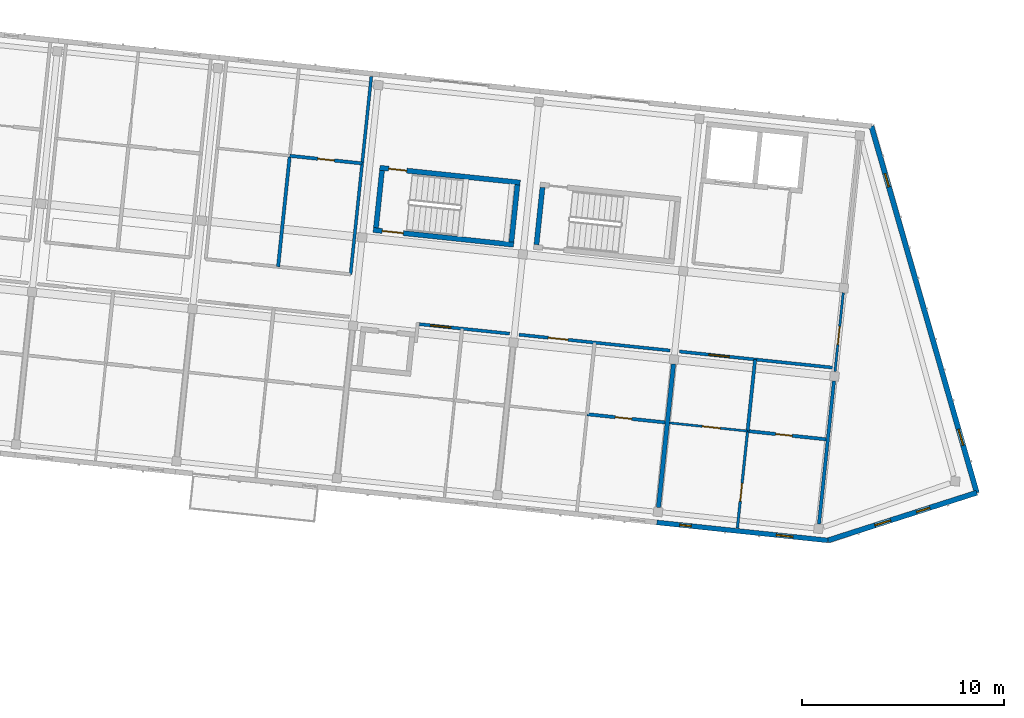
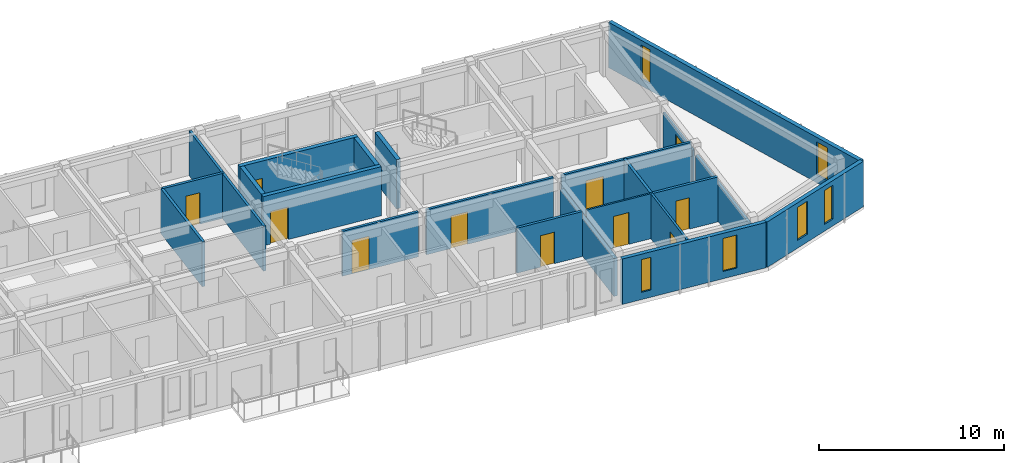
# One storey, part 32 of 56: 22 walls, 11 doors, 6 windows, 17 openings.
"""IFC4 building model written with IfcOpenShell, lengths in metres."""

from ifc_helpers import new_model, si_unit, direction, frame, frame_2d, origin, place, context, subcontext, project, spatial, rectangle, extrude, material, layer, layer_set, type_object, element, fill, save


model = new_model("IFC4")

# Units and contexts
model_context = context("Model", 3, precision=1e-05, world=origin(), true_north=direction((0.0, 1.0)))
body_context = subcontext(model_context, "Body", "Model", "MODEL_VIEW")
ifc_project = project(units=[si_unit("LENGTHUNIT", "METRE"), si_unit("AREAUNIT", "SQUARE_METRE"), si_unit("VOLUMEUNIT", "CUBIC_METRE"), si_unit("PLANEANGLEUNIT", "RADIAN"), si_unit("MASSUNIT", "GRAM", prefix="KILO")], contexts=[model_context])

# Site, building, storey
site_placement = place(None, origin())
site = spatial("IfcSite", under=ifc_project, at=site_placement, CompositionType="ELEMENT")
building_placement = place(site_placement, origin())
building = spatial("IfcBuilding", under=site, at=building_placement, Name="Kestramere Prow Commons", CompositionType="ELEMENT")
storey_placement = place(building_placement, frame((0.0, 0.0, 27.89990234375)))
storey = spatial("IfcBuildingStorey", under=building, at=storey_placement, Name="L08", CompositionType="ELEMENT", Elevation=27.89990234375)

# Wall, openings, windows
ifc_material_1 = material(Name="Weathered Zinc-Titanium Standing-Seam Cladding")
ifc_layer_1 = layer(ifc_material_1, 0.260009765625)
ifc_layer_set_1 = layer_set([ifc_layer_1], Name="Weathered Zinc-Titanium Standing-Seam Cladding")
wall_type_1 = type_object("IfcWallType", Name="EW-PROW-260", PredefinedType="SOLIDWALL", material=ifc_layer_set_1)
wall_1_placement = place(storey_placement, frame((160.36279296875, 109.742431640625, 0.0), z_axis=(0.0, 0.0, 1.0), x_axis=(0.276322184526, -0.961065060409, 0.0)))
wall_1 = element("IfcWall", 1, at=wall_1_placement, inside=storey, type_object=wall_type_1, Name="Block B L08 PRW-N Facet Wall", PredefinedType="SOLIDWALL", context=body_context, shape_type="SweptSolid", body=[
    extrude(rectangle(XDim=18.90673828125, YDim=0.260009765625, at=frame_2d((9.453369140625, 0.0))), origin(), (0.0, 0.0, 1.0), 3.0),
])
opening_1_placement = place(wall_1_placement, frame((2.449951171875, 0.0, 0.449951171875)))
opening_1 = element("IfcOpeningElement", 2, at=opening_1_placement, cuts=wall_1, Name="Opening WN-06", PredefinedType="OPENING", context=body_context, shape_type="SweptSolid", body=[
    extrude(rectangle(XDim=0.679931640625, YDim=2.239990234375, at=frame_2d((0.33984375, 1.1201171875))), frame((0.0, 0.14501953125, 0.0), z_axis=(0.0, -1.0, 0.0), x_axis=(1.0, 0.0, 0.0)), (0.0, 0.0, 1.0), 0.2900390625),
])
opening_2_placement = place(wall_1_placement, frame((15.63671875, 0.0, 0.52001953125)))
opening_2 = element("IfcOpeningElement", 3, at=opening_2_placement, cuts=wall_1, Name="Opening WN-13", PredefinedType="OPENING", context=body_context, shape_type="SweptSolid", body=[
    extrude(rectangle(XDim=0.820068359375, YDim=2.179931640625, at=frame_2d((0.41015625, 1.08984375))), frame((0.0, 0.14501953125, 0.0), z_axis=(0.0, -1.0, 0.0), x_axis=(1.0, 0.0, 0.0)), (0.0, 0.0, 1.0), 0.2900390625),
])
ifc_material_2 = material(Name="Low-E Laminated Double Glazing", Category="glass")
window_type_1 = type_object("IfcWindowType", Name="WN-NAR-680A", PartitioningType="SINGLE_PANEL", PredefinedType="WINDOW", material=ifc_material_2)
window_1_placement = place(opening_1_placement, origin())
window_1 = element("IfcWindow", 4, at=window_1_placement, inside=storey, type_object=window_type_1, Name="WN-B-L08-PRW-N-0", OverallHeight=2.239990234375, OverallWidth=0.679931640625, PartitioningType="SINGLE_PANEL", PredefinedType="WINDOW", context=body_context, shape_type="SweptSolid", body=[
    extrude(rectangle(XDim=0.679931640625, YDim=2.239990234375, at=frame_2d((0.33984375, 1.1201171875))), frame((0.0, 0.030029296875, 0.0), z_axis=(0.0, -1.0, 0.0), x_axis=(1.0, 0.0, 0.0)), (0.0, 0.0, 1.0), 0.06005859375),
])
fill(opening_1, window_1)
window_type_2 = type_object("IfcWindowType", Name="WN-NAR-820A", PartitioningType="DOUBLE_PANEL_VERTICAL", PredefinedType="WINDOW", material=ifc_material_2)
window_2_placement = place(opening_2_placement, origin())
window_2 = element("IfcWindow", 5, at=window_2_placement, inside=storey, type_object=window_type_2, Name="WN-B-L08-PRW-N-1", OverallHeight=2.179931640625, OverallWidth=0.820068359375, PartitioningType="SINGLE_PANEL", PredefinedType="WINDOW", context=body_context, shape_type="SweptSolid", body=[
    extrude(rectangle(XDim=0.820068359375, YDim=2.179931640625, at=frame_2d((0.41015625, 1.08984375))), frame((0.0, 0.030029296875, 0.0), z_axis=(0.0, -1.0, 0.0), x_axis=(1.0, 0.0, 0.0)), (0.0, 0.0, 1.0), 0.06005859375),
])
fill(opening_2, window_2)

wall_2_placement = place(storey_placement, frame((165.587158203125, 91.57177734375, 0.0), z_axis=(0.0, 0.0, 1.0), x_axis=(-0.9522851043, -0.305209895201, 0.0)))
wall_2 = element("IfcWall", 6, at=wall_2_placement, inside=storey, type_object=wall_type_1, Name="Block B L08 PRW-S Facet Wall", PredefinedType="SOLIDWALL", context=body_context, shape_type="SweptSolid", body=[
    extrude(rectangle(XDim=7.752685546875, YDim=0.260009765625, at=frame_2d((3.87646484375, 0.0))), origin(), (0.0, 0.0, 1.0), 3.0),
])
opening_3_placement = place(wall_2_placement, frame((2.449951171875, 0.0, 0.449951171875)))
opening_3 = element("IfcOpeningElement", 7, at=opening_3_placement, cuts=wall_2, Name="Opening WN-06", PredefinedType="OPENING", context=body_context, shape_type="SweptSolid", body=[
    extrude(rectangle(XDim=0.679931640625, YDim=2.239990234375, at=frame_2d((0.33984375, 1.1201171875))), frame((0.0, 0.14501953125, 0.0), z_axis=(0.0, -1.0, 0.0), x_axis=(1.0, 0.0, 0.0)), (0.0, 0.0, 1.0), 0.2900390625),
])
opening_4_placement = place(wall_2_placement, frame((4.482666015625, 0.0, 0.52001953125)))
opening_4 = element("IfcOpeningElement", 8, at=opening_4_placement, cuts=wall_2, Name="Opening WN-13", PredefinedType="OPENING", context=body_context, shape_type="SweptSolid", body=[
    extrude(rectangle(XDim=0.820068359375, YDim=2.179931640625, at=frame_2d((0.41015625, 1.08984375))), frame((0.0, 0.14501953125, 0.0), z_axis=(0.0, -1.0, 0.0), x_axis=(1.0, 0.0, 0.0)), (0.0, 0.0, 1.0), 0.2900390625),
])
window_3_placement = place(opening_3_placement, origin())
window_3 = element("IfcWindow", 9, at=window_3_placement, inside=storey, type_object=window_type_1, Name="WN-B-L08-PRW-S-0", OverallHeight=2.239990234375, OverallWidth=0.679931640625, PartitioningType="SINGLE_PANEL", PredefinedType="WINDOW", context=body_context, shape_type="SweptSolid", body=[
    extrude(rectangle(XDim=0.679931640625, YDim=2.239990234375, at=frame_2d((0.33984375, 1.1201171875))), frame((0.0, 0.030029296875, 0.0), z_axis=(0.0, -1.0, 0.0), x_axis=(1.0, 0.0, 0.0)), (0.0, 0.0, 1.0), 0.06005859375),
])
fill(opening_3, window_3)
window_4_placement = place(opening_4_placement, origin())
window_4 = element("IfcWindow", 10, at=window_4_placement, inside=storey, type_object=window_type_2, Name="WN-B-L08-PRW-S-1", OverallHeight=2.179931640625, OverallWidth=0.820068359375, PartitioningType="SINGLE_PANEL", PredefinedType="WINDOW", context=body_context, shape_type="SweptSolid", body=[
    extrude(rectangle(XDim=0.820068359375, YDim=2.179931640625, at=frame_2d((0.41015625, 1.08984375))), frame((0.0, 0.030029296875, 0.0), z_axis=(0.0, -1.0, 0.0), x_axis=(1.0, 0.0, 0.0)), (0.0, 0.0, 1.0), 0.06005859375),
])
fill(opening_4, window_4)

ifc_material_3 = material(Name="Fluoropolymer Standing-Seam Zinc-Aluminium Cladding", Category="aluminium")
ifc_layer_2 = layer(ifc_material_3, 0.239990234375)
ifc_layer_set_2 = layer_set([ifc_layer_2], Name="Fluoropolymer Standing-Seam Zinc-Aluminium Cladding")
wall_type_2 = type_object("IfcWallType", Name="EW-SEAM-240", PredefinedType="SOLIDWALL", material=ifc_layer_set_2)
wall_3_placement = place(storey_placement, frame((158.204345703125, 89.20556640625, 0.0), z_axis=(0.0, 0.0, 1.0), x_axis=(-0.994521760736, 0.104529744196, 0.0)))
wall_3 = element("IfcWall", 11, at=wall_3_placement, inside=storey, type_object=wall_type_2, Name="Block B L08 South Standing-Seam Wall 6", PredefinedType="SOLIDWALL", context=body_context, shape_type="SweptSolid", body=[
    extrude(rectangle(XDim=8.52490234375, YDim=0.239990234375, at=frame_2d((4.262451171875, 0.0))), origin(), (0.0, 0.0, 1.0), 3.0),
])
opening_5_placement = place(wall_3_placement, frame((1.742919921875, 0.0, 0.47998046875)))
opening_5 = element("IfcOpeningElement", 12, at=opening_5_placement, cuts=wall_3, Name="Opening WN-13", PredefinedType="OPENING", context=body_context, shape_type="SweptSolid", body=[
    extrude(rectangle(XDim=0.820068359375, YDim=2.179931640625, at=frame_2d((0.41015625, 1.08984375))), frame((0.0, 0.135009765625, 0.0), z_axis=(0.0, -1.0, 0.0), x_axis=(1.0, 0.0, 0.0)), (0.0, 0.0, 1.0), 0.27001953125),
])
opening_6_placement = place(wall_3_placement, frame((6.809326171875, 0.0, 0.47998046875)))
opening_6 = element("IfcOpeningElement", 13, at=opening_6_placement, cuts=wall_3, Name="Opening WN-01", PredefinedType="OPENING", context=body_context, shape_type="SweptSolid", body=[
    extrude(rectangle(XDim=0.580078125, YDim=2.159912109375, at=frame_2d((0.2900390625, 1.080078125))), frame((0.0, 0.135009765625, 0.0), z_axis=(0.0, -1.0, 0.0), x_axis=(1.0, 0.0, 0.0)), (0.0, 0.0, 1.0), 0.27001953125),
])
window_type_3 = type_object("IfcWindowType", Name="WN-NAR-580A", PartitioningType="SINGLE_PANEL", PredefinedType="WINDOW", material=ifc_material_2)
window_5_placement = place(opening_6_placement, origin())
window_5 = element("IfcWindow", 14, at=window_5_placement, inside=storey, type_object=window_type_3, Name="WN-B-L08-S-5-10", OverallHeight=2.159912109375, OverallWidth=0.580078125, PartitioningType="SINGLE_PANEL", PredefinedType="WINDOW", context=body_context, shape_type="SweptSolid", body=[
    extrude(rectangle(XDim=0.580078125, YDim=2.159912109375, at=frame_2d((0.2900390625, 1.080078125))), frame((0.0, 0.030029296875, 0.0), z_axis=(0.0, -1.0, 0.0), x_axis=(1.0, 0.0, 0.0)), (0.0, 0.0, 1.0), 0.06005859375),
])
fill(opening_6, window_5)
window_6_placement = place(opening_5_placement, origin())
window_6 = element("IfcWindow", 15, at=window_6_placement, inside=storey, type_object=window_type_2, Name="WN-B-L08-S-5-00", OverallHeight=2.179931640625, OverallWidth=0.820068359375, PartitioningType="SINGLE_PANEL", PredefinedType="WINDOW", context=body_context, shape_type="SweptSolid", body=[
    extrude(rectangle(XDim=0.820068359375, YDim=2.179931640625, at=frame_2d((0.41015625, 1.08984375))), frame((0.0, 0.030029296875, 0.0), z_axis=(0.0, -1.0, 0.0), x_axis=(1.0, 0.0, 0.0)), (0.0, 0.0, 1.0), 0.06005859375),
])
fill(opening_5, window_6)

# Wall, opening, door
ifc_material_4 = material(Name="Concrete C40/50", Category="concrete")
ifc_layer_3 = layer(ifc_material_4, 0.25)
ifc_layer_set_3 = layer_set([ifc_layer_3], Name="Concrete C40/50")
wall_type_3 = type_object("IfcWallType", Name="W-CORE-250", PredefinedType="SHEAR", material=ifc_layer_set_3)
wall_4_placement = place(storey_placement, frame((135.988525390625, 107.678955078125, 0.0), z_axis=(0.0, 0.0, 1.0), x_axis=(0.994522066748, -0.104526832686, 0.0)))
wall_4 = element("IfcWall", 16, at=wall_4_placement, inside=storey, type_object=wall_type_3, Name="ST-B1 L08 North Shaft Wall", PredefinedType="SHEAR", context=body_context, shape_type="SweptSolid", body=[
    extrude(rectangle(XDim=7.0, YDim=0.25, at=frame_2d((3.5, 0.0))), origin(), (0.0, 0.0, 1.0), 3.25),
])
opening_7_placement = place(wall_4_placement, frame((0.449951171875, 0.0, 0.0)))
opening_7 = element("IfcOpeningElement", 17, at=opening_7_placement, cuts=wall_4, Name="Opening ID-08", PredefinedType="OPENING", context=body_context, shape_type="SweptSolid", body=[
    extrude(rectangle(XDim=0.89990234375, YDim=2.10009765625, at=frame_2d((0.449951171875, 1.050048828125))), frame((0.0, 0.139892578125, 0.0), z_axis=(0.0, -1.0, 0.0), x_axis=(1.0, 0.0, 0.0)), (0.0, 0.0, 1.0), 0.280029296875),
])
ifc_material_5 = material(Name="Engineered Timber Flush Door", Category="wood")
door_type_1 = type_object("IfcDoorType", Name="D-RM-01", OperationType="NOTDEFINED", PredefinedType="DOOR", material=ifc_material_5)
door_1_placement = place(opening_7_placement, origin())
door_1 = element("IfcDoor", 18, at=door_1_placement, inside=storey, type_object=door_type_1, Name="ST-B1 L08 North Room Door", OperationType="SINGLE_SWING_RIGHT", OverallHeight=2.10009765625, OverallWidth=0.89990234375, PredefinedType="DOOR", context=body_context, shape_type="SweptSolid", body=[
    extrude(rectangle(XDim=0.89990234375, YDim=2.10009765625, at=frame_2d((0.449951171875, 1.050048828125))), frame((0.0, 0.02490234375, 0.0), z_axis=(0.0, -1.0, 0.0), x_axis=(1.0, 0.0, 0.0)), (0.0, 0.0, 1.0), 0.050048828125),
])
fill(opening_7, door_1)

wall_5_placement = place(storey_placement, frame((135.66455078125, 104.595947265625, 0.0), z_axis=(0.0, 0.0, 1.0), x_axis=(0.994522066748, -0.104526832686, 0.0)))
wall_5 = element("IfcWall", 19, at=wall_5_placement, inside=storey, type_object=wall_type_3, Name="ST-B1 L08 Corridor Shaft Wall", PredefinedType="SHEAR", context=body_context, shape_type="SweptSolid", body=[
    extrude(rectangle(XDim=7.0, YDim=0.25, at=frame_2d((3.5, 0.0))), origin(), (0.0, 0.0, 1.0), 3.25),
])
opening_8_placement = place(wall_5_placement, frame((0.449951171875, 0.0, 0.0)))
opening_8 = element("IfcOpeningElement", 20, at=opening_8_placement, cuts=wall_5, Name="Opening ID-01", PredefinedType="OPENING", context=body_context, shape_type="SweptSolid", body=[
    extrude(rectangle(XDim=1.050048828125, YDim=2.14990234375, at=frame_2d((0.52490234375, 1.074951171875))), frame((0.0, 0.139892578125, 0.0), z_axis=(0.0, -1.0, 0.0), x_axis=(1.0, 0.0, 0.0)), (0.0, 0.0, 1.0), 0.280029296875),
])
ifc_material_6 = material(Name="Fire-Rated Timber and Steel Frame", Category="steel")
door_type_2 = type_object("IfcDoorType", Name="FD-ST-01", OperationType="NOTDEFINED", PredefinedType="DOOR", material=ifc_material_6)
door_2_placement = place(opening_8_placement, origin())
door_2 = element("IfcDoor", 21, at=door_2_placement, inside=storey, type_object=door_type_2, Name="ST-B1 L08 Protected Stair Door", OperationType="SINGLE_SWING_LEFT", OverallHeight=2.14990234375, OverallWidth=1.050048828125, PredefinedType="DOOR", context=body_context, shape_type="SweptSolid", body=[
    extrude(rectangle(XDim=1.050048828125, YDim=2.14990234375, at=frame_2d((0.52490234375, 1.074951171875))), frame((0.0, 0.02490234375, 0.0), z_axis=(0.0, -1.0, 0.0), x_axis=(1.0, 0.0, 0.0)), (0.0, 0.0, 1.0), 0.050048828125),
])
fill(opening_8, door_2)

# Walls
for number, where, z_axis, x_axis, name in (
    (22, (135.802001953125, 104.707275390625, 0.0), (0.0, 0.0, 1.0), (0.104515324063, 0.994523276267, 0.0), "ST-B1 L08 Near Shaft Wall"),
    (23, (142.514892578125, 104.001708984375, 0.0), (0.0, 0.0, 1.0), (0.104515324063, 0.994523276267, 0.0), "ST-B1 L08 Far Shaft Wall"),
    (24, (143.758056640625, 103.87109375, 0.0), (0.0, 0.0, 1.0), (0.104515324063, 0.994523276267, 0.0), "ST-B2 L08 Near Shaft Wall"),
):
    element("IfcWall", number, at=place(storey_placement, frame(where, z_axis=z_axis, x_axis=x_axis)), inside=storey, type_object=wall_type_3, Name=name, PredefinedType="SHEAR", context=body_context, shape_type="SweptSolid", body=[
        extrude(rectangle(XDim=2.849853515625, YDim=0.25, at=frame_2d((1.4248046875, 0.0))), origin(), (0.0, 0.0, 1.0), 3.25),
    ])

# Wall, opening, door
ifc_material_7 = material(Name="Fire-Rated Calcium Silicate Wall")
ifc_layer_4 = layer(ifc_material_7, 0.155029296875)
ifc_layer_set_4 = layer_set([ifc_layer_4], Name="Fire-Rated Calcium Silicate Wall")
wall_type_4 = type_object("IfcWallType", Name="W-FIRE-150", PredefinedType="PARTITIONING", material=ifc_layer_set_4)
wall_6_placement = place(storey_placement, frame((137.948974609375, 99.926513671875, 0.0), z_axis=(0.0, 0.0, 1.0), x_axis=(0.994526220308, -0.104487306019, 0.0)))
wall_6 = element("IfcWall", 25, at=wall_6_placement, inside=storey, type_object=wall_type_4, Name="Interior Partition PW-B-L08-CS-3", PredefinedType="PARTITIONING", context=body_context, shape_type="SweptSolid", body=[
    extrude(rectangle(XDim=4.5048828125, YDim=0.155029296875, at=frame_2d((2.25244140625, 0.0))), origin(), (0.0, 0.0, 1.0), 2.97021484375),
])
opening_9_placement = place(wall_6_placement, frame((0.556884765625, 0.0, 0.0)))
opening_9 = element("IfcOpeningElement", 26, at=opening_9_placement, cuts=wall_6, Name="Opening ID-05", PredefinedType="OPENING", context=body_context, shape_type="SweptSolid", body=[
    extrude(rectangle(XDim=1.02001953125, YDim=2.199951171875, at=frame_2d((0.510009765625, 1.10009765625))), frame((0.0, 0.092529296875, 0.0), z_axis=(0.0, -1.0, 0.0), x_axis=(1.0, 0.0, 0.0)), (0.0, 0.0, 1.0), 0.18505859375),
])
ifc_material_8 = material(Name="Hardwood Fire-Rated Flat Entrance Door", Category="wood")
door_type_3 = type_object("IfcDoorType", Name="FD-ENT-02", OperationType="NOTDEFINED", PredefinedType="DOOR", material=ifc_material_8)
door_3_placement = place(opening_9_placement, origin())
door_3 = element("IfcDoor", 27, at=door_3_placement, inside=storey, type_object=door_type_3, Name="Interior Door DR-B-L08-ENT-S3", OperationType="SINGLE_SWING_RIGHT", OverallHeight=2.199951171875, OverallWidth=1.02001953125, PredefinedType="DOOR", context=body_context, shape_type="SweptSolid", body=[
    extrude(rectangle(XDim=1.02001953125, YDim=2.199951171875, at=frame_2d((0.510009765625, 1.10009765625))), frame((0.0, 0.02490234375, 0.0), z_axis=(0.0, -1.0, 0.0), x_axis=(1.0, 0.0, 0.0)), (0.0, 0.0, 1.0), 0.050048828125),
])
fill(opening_9, door_3)

wall_7_placement = place(storey_placement, frame((142.896728515625, 99.406494140625, 0.0), z_axis=(0.0, 0.0, 1.0), x_axis=(0.994521785195, -0.104529511491, 0.0)))
wall_7 = element("IfcWall", 28, at=wall_7_placement, inside=storey, type_object=wall_type_4, Name="Interior Partition PW-B-L08-CS-4", PredefinedType="PARTITIONING", context=body_context, shape_type="SweptSolid", body=[
    extrude(rectangle(XDim=7.530029296875, YDim=0.155029296875, at=frame_2d((3.76513671875, 0.0))), origin(), (0.0, 0.0, 1.0), 2.97021484375),
])
opening_10_placement = place(wall_7_placement, frame((1.455078125, 0.0, 0.0)))
opening_10 = element("IfcOpeningElement", 29, at=opening_10_placement, cuts=wall_7, Name="Opening ID-04", PredefinedType="OPENING", context=body_context, shape_type="SweptSolid", body=[
    extrude(rectangle(XDim=0.97998046875, YDim=2.14990234375, at=frame_2d((0.489990234375, 1.074951171875))), frame((0.0, 0.092529296875, 0.0), z_axis=(0.0, -1.0, 0.0), x_axis=(1.0, 0.0, 0.0)), (0.0, 0.0, 1.0), 0.18505859375),
])
door_type_4 = type_object("IfcDoorType", Name="FD-ENT-01", OperationType="NOTDEFINED", PredefinedType="DOOR", material=ifc_material_8)
door_4_placement = place(opening_10_placement, origin())
door_4 = element("IfcDoor", 30, at=door_4_placement, inside=storey, type_object=door_type_4, Name="Interior Door DR-B-L08-ENT-S4", OperationType="SINGLE_SWING_LEFT", OverallHeight=2.14990234375, OverallWidth=0.97998046875, PredefinedType="DOOR", context=body_context, shape_type="SweptSolid", body=[
    extrude(rectangle(XDim=0.97998046875, YDim=2.14990234375, at=frame_2d((0.489990234375, 1.074951171875))), frame((0.0, 0.02490234375, 0.0), z_axis=(0.0, -1.0, 0.0), x_axis=(1.0, 0.0, 0.0)), (0.0, 0.0, 1.0), 0.050048828125),
])
fill(opening_10, door_4)

wall_8_placement = place(storey_placement, frame((150.85302734375, 98.5703125, 0.0), z_axis=(0.0, 0.0, 1.0), x_axis=(0.994523865423, -0.104509717754, 0.0)))
wall_8 = element("IfcWall", 31, at=wall_8_placement, inside=storey, type_object=wall_type_4, Name="Interior Partition PW-B-L08-CS-5", PredefinedType="PARTITIONING", context=body_context, shape_type="SweptSolid", body=[
    extrude(rectangle(XDim=7.695068359375, YDim=0.155029296875, at=frame_2d((3.84765625, 0.0))), origin(), (0.0, 0.0, 1.0), 2.97021484375),
])
opening_11_placement = place(wall_8_placement, frame((1.455078125, 0.0, 0.0)))
opening_11 = element("IfcOpeningElement", 32, at=opening_11_placement, cuts=wall_8, Name="Opening ID-05", PredefinedType="OPENING", context=body_context, shape_type="SweptSolid", body=[
    extrude(rectangle(XDim=1.02001953125, YDim=2.199951171875, at=frame_2d((0.510009765625, 1.10009765625))), frame((0.0, 0.092529296875, 0.0), z_axis=(0.0, -1.0, 0.0), x_axis=(1.0, 0.0, 0.0)), (0.0, 0.0, 1.0), 0.18505859375),
])
door_5_placement = place(opening_11_placement, origin())
door_5 = element("IfcDoor", 33, at=door_5_placement, inside=storey, type_object=door_type_3, Name="Interior Door DR-B-L08-ENT-S5", OperationType="SINGLE_SWING_RIGHT", OverallHeight=2.199951171875, OverallWidth=1.02001953125, PredefinedType="DOOR", context=body_context, shape_type="SweptSolid", body=[
    extrude(rectangle(XDim=1.02001953125, YDim=2.199951171875, at=frame_2d((0.510009765625, 1.10009765625))), frame((0.0, 0.02490234375, 0.0), z_axis=(0.0, -1.0, 0.0), x_axis=(1.0, 0.0, 0.0)), (0.0, 0.0, 1.0), 0.050048828125),
])
fill(opening_11, door_5)

ifc_material_9 = material(Name="Gypsum Acoustic Drywall")
ifc_layer_5 = layer(ifc_material_9, 0.110107421875)
ifc_layer_set_5 = layer_set([ifc_layer_5], Name="Gypsum Acoustic Drywall")
wall_type_5 = type_object("IfcWallType", Name="W-PART-110", PredefinedType="PARTITIONING", material=ifc_layer_set_5)
wall_9_placement = place(storey_placement, frame((150.3603515625, 95.032470703125, 0.0), z_axis=(0.0, 0.0, 1.0), x_axis=(0.994524375082, -0.104504867671, 0.0)))
wall_9 = element("IfcWall", 34, at=wall_9_placement, inside=storey, type_object=wall_type_5, Name="Interior Partition PW-B-L08-MIDS1-5", PredefinedType="PARTITIONING", context=body_context, shape_type="SweptSolid", body=[
    extrude(rectangle(XDim=3.885009765625, YDim=0.110107421875, at=frame_2d((1.9423828125, 0.0))), origin(), (0.0, 0.0, 1.0), 2.97021484375),
])
opening_12_placement = place(wall_9_placement, frame((1.625, 0.0, 0.0)))
opening_12 = element("IfcOpeningElement", 35, at=opening_12_placement, cuts=wall_9, Name="Opening ID-08", PredefinedType="OPENING", context=body_context, shape_type="SweptSolid", body=[
    extrude(rectangle(XDim=0.89990234375, YDim=2.10009765625, at=frame_2d((0.449951171875, 1.050048828125))), frame((0.0, 0.070068359375, 0.0), z_axis=(0.0, -1.0, 0.0), x_axis=(1.0, 0.0, 0.0)), (0.0, 0.0, 1.0), 0.14013671875),
])
door_6_placement = place(opening_12_placement, origin())
door_6 = element("IfcDoor", 36, at=door_6_placement, inside=storey, type_object=door_type_1, Name="Interior Door DR-B-L08-KL-S5", OperationType="SINGLE_SWING_RIGHT", OverallHeight=2.10009765625, OverallWidth=0.89990234375, PredefinedType="DOOR", context=body_context, shape_type="SweptSolid", body=[
    extrude(rectangle(XDim=0.89990234375, YDim=2.10009765625, at=frame_2d((0.449951171875, 1.050048828125))), frame((0.0, 0.02490234375, 0.0), z_axis=(0.0, -1.0, 0.0), x_axis=(1.0, 0.0, 0.0)), (0.0, 0.0, 1.0), 0.050048828125),
])
fill(opening_12, door_6)

ifc_material_10 = material(Name="Lightweight Blockwork and Plaster", Category="masonry")
ifc_layer_6 = layer(ifc_material_10, 0.1201171875)
ifc_layer_set_6 = layer_set([ifc_layer_6], Name="Lightweight Blockwork and Plaster")
wall_type_6 = type_object("IfcWallType", Name="W-PART-120", PredefinedType="PARTITIONING", material=ifc_layer_set_6)
wall_10_placement = place(storey_placement, frame((158.55615234375, 97.57470703125, 0.0), z_axis=(0.0, 0.0, 1.0), x_axis=(0.104490754769, 0.994525857968, 0.0)))
wall_10 = element("IfcWall", 37, at=wall_10_placement, inside=storey, type_object=wall_type_6, Name="Interior Partition PW-B-L08-PROW-ACC", PredefinedType="PARTITIONING", context=body_context, shape_type="SweptSolid", body=[
    extrude(rectangle(XDim=3.929931640625, YDim=0.1201171875, at=frame_2d((1.96484375, 0.0))), origin(), (0.0, 0.0, 1.0), 2.5),
])
opening_13_placement = place(wall_10_placement, frame((1.35009765625, 0.0, 0.0)))
opening_13 = element("IfcOpeningElement", 38, at=opening_13_placement, cuts=wall_10, Name="Opening ID-08", PredefinedType="OPENING", context=body_context, shape_type="SweptSolid", body=[
    extrude(rectangle(XDim=0.89990234375, YDim=2.10009765625, at=frame_2d((0.449951171875, 1.050048828125))), frame((0.0, 0.074951171875, 0.0), z_axis=(0.0, -1.0, 0.0), x_axis=(1.0, 0.0, 0.0)), (0.0, 0.0, 1.0), 0.150146484375),
])
door_7_placement = place(opening_13_placement, origin())
door_7 = element("IfcDoor", 39, at=door_7_placement, inside=storey, type_object=door_type_1, Name="Interior Door DR-B-L08-PROW", OperationType="SINGLE_SWING_LEFT", OverallHeight=2.10009765625, OverallWidth=0.89990234375, PredefinedType="DOOR", context=body_context, shape_type="SweptSolid", body=[
    extrude(rectangle(XDim=0.89990234375, YDim=2.10009765625, at=frame_2d((0.449951171875, 1.050048828125))), frame((0.0, 0.02490234375, 0.0), z_axis=(0.0, -1.0, 0.0), x_axis=(1.0, 0.0, 0.0)), (0.0, 0.0, 1.0), 0.050048828125),
])
fill(opening_13, door_7)

ifc_layer_7 = layer(ifc_material_10, 0.1298828125)
ifc_layer_set_7 = layer_set([ifc_layer_7], Name="Lightweight Blockwork and Plaster")
wall_type_7 = type_object("IfcWallType", Name="W-PART-130", PredefinedType="PARTITIONING", material=ifc_layer_set_7)
wall_11_placement = place(storey_placement, frame((153.71826171875, 89.81298828125, 0.0), z_axis=(0.0, 0.0, 1.0), x_axis=(0.104516733692, 0.994523128126, 0.0)))
wall_11 = element("IfcWall", 40, at=wall_11_placement, inside=storey, type_object=wall_type_7, Name="Interior Partition PW-B-L08-LB-S5", PredefinedType="PARTITIONING", context=body_context, shape_type="SweptSolid", body=[
    extrude(rectangle(XDim=4.840087890625, YDim=0.1298828125, at=frame_2d((2.419921875, 0.0))), origin(), (0.0, 0.0, 1.0), 2.97021484375),
])
opening_14_placement = place(wall_11_placement, frame((1.35009765625, 0.0, 0.0)))
opening_14 = element("IfcOpeningElement", 41, at=opening_14_placement, cuts=wall_11, Name="Opening ID-10", PredefinedType="OPENING", context=body_context, shape_type="SweptSolid", body=[
    extrude(rectangle(XDim=0.8798828125, YDim=2.10009765625, at=frame_2d((0.43994140625, 1.050048828125))), frame((0.0, 0.079833984375, 0.0), z_axis=(0.0, -1.0, 0.0), x_axis=(1.0, 0.0, 0.0)), (0.0, 0.0, 1.0), 0.159912109375),
])
ifc_material_11 = material(Name="Engineered Timber Bedroom Door", Category="wood")
door_type_5 = type_object("IfcDoorType", Name="D-RM-03", OperationType="NOTDEFINED", PredefinedType="DOOR", material=ifc_material_11)
door_8_placement = place(opening_14_placement, origin())
door_8 = element("IfcDoor", 42, at=door_8_placement, inside=storey, type_object=door_type_5, Name="Interior Door DR-B-L08-BED-S5", OperationType="SINGLE_SWING_RIGHT", OverallHeight=2.10009765625, OverallWidth=0.8798828125, PredefinedType="DOOR", context=body_context, shape_type="SweptSolid", body=[
    extrude(rectangle(XDim=0.8798828125, YDim=2.10009765625, at=frame_2d((0.43994140625, 1.050048828125))), frame((0.0, 0.02490234375, 0.0), z_axis=(0.0, -1.0, 0.0), x_axis=(1.0, 0.0, 0.0)), (0.0, 0.0, 1.0), 0.050048828125),
])
fill(opening_14, door_8)

# Walls
ifc_material_12 = material(Name="Masonry Compartment Wall", Category="masonry")
ifc_layer_8 = layer(ifc_material_12, 0.14990234375)
ifc_layer_set_8 = layer_set([ifc_layer_8], Name="Masonry Compartment Wall")
wall_type_8 = type_object("IfcWallType", Name="W-PART-150", PredefinedType="PARTITIONING", material=ifc_layer_set_8)
wall_12_placement = place(storey_placement, frame((134.53857421875, 102.396728515625, 0.0), z_axis=(0.0, 0.0, 1.0), x_axis=(0.104508379977, 0.994524006002, 0.0)))
element("IfcWall", 43, at=wall_12_placement, inside=storey, type_object=wall_type_8, Name="Interior Partition PW-B-L08-NWR-2", PredefinedType="PARTITIONING", context=body_context, shape_type="SweptSolid", body=[
    extrude(rectangle(XDim=9.869873046875, YDim=0.14990234375, at=frame_2d((4.93505859375, 0.0))), origin(), (0.0, 0.0, 1.0), 2.97021484375),
])
ifc_material_13 = material(Name="Waterproof Sanitary Masonry Wall", Category="masonry")
ifc_layer_9 = layer(ifc_material_13, 0.1650390625)
ifc_layer_set_9 = layer_set([ifc_layer_9], Name="Waterproof Sanitary Masonry Wall")
wall_type_9 = type_object("IfcWallType", Name="W-PLUMB-150", PredefinedType="PLUMBINGWALL", material=ifc_layer_set_9)
wall_13_placement = place(storey_placement, frame((157.76171875, 90.016357421875, 0.0), z_axis=(0.0, 0.0, 1.0), x_axis=(0.10450653689, 0.994524199679, 0.0)))
element("IfcWall", 44, at=wall_13_placement, inside=storey, type_object=wall_type_9, Name="Interior Partition PW-B-L08-PRWE-S", PredefinedType="PLUMBINGWALL", context=body_context, shape_type="SweptSolid", body=[
    extrude(rectangle(XDim=7.1298828125, YDim=0.1650390625, at=frame_2d((3.56494140625, 0.0))), origin(), (0.0, 0.0, 1.0), 2.5),
])

# Wall, opening, door
wall_14_placement = place(storey_placement, frame((146.267822265625, 95.462646484375, 0.0), z_axis=(0.0, 0.0, 1.0), x_axis=(0.994517841934, -0.104567021925, 0.0)))
wall_14 = element("IfcWall", 45, at=wall_14_placement, inside=storey, type_object=wall_type_9, Name="Interior Partition PW-B-L08-MIDS2-4", PredefinedType="PLUMBINGWALL", context=body_context, shape_type="SweptSolid", body=[
    extrude(rectangle(XDim=3.885009765625, YDim=0.1650390625, at=frame_2d((1.9423828125, 0.0))), origin(), (0.0, 0.0, 1.0), 2.97021484375),
])
opening_15_placement = place(wall_14_placement, frame((1.39990234375, 0.0, 0.0)))
opening_15 = element("IfcOpeningElement", 46, at=opening_15_placement, cuts=wall_14, Name="Opening ID-11", PredefinedType="OPENING", context=body_context, shape_type="SweptSolid", body=[
    extrude(rectangle(XDim=0.820068359375, YDim=2.080078125, at=frame_2d((0.41015625, 1.0400390625))), frame((0.0, 0.097412109375, 0.0), z_axis=(0.0, -1.0, 0.0), x_axis=(1.0, 0.0, 0.0)), (0.0, 0.0, 1.0), 0.195068359375),
])
ifc_material_14 = material(Name="Moisture-Resistant Timber Bathroom Door", Category="wood")
door_type_6 = type_object("IfcDoorType", Name="D-BT-01", OperationType="NOTDEFINED", PredefinedType="DOOR", material=ifc_material_14)
door_9_placement = place(opening_15_placement, origin())
door_9 = element("IfcDoor", 47, at=door_9_placement, inside=storey, type_object=door_type_6, Name="Interior Door DR-B-L08-BTH-S4", OperationType="SINGLE_SWING_LEFT", OverallHeight=2.080078125, OverallWidth=0.820068359375, PredefinedType="DOOR", context=body_context, shape_type="SweptSolid", body=[
    extrude(rectangle(XDim=0.820068359375, YDim=2.080078125, at=frame_2d((0.41015625, 1.0400390625))), frame((0.0, 0.02490234375, 0.0), z_axis=(0.0, -1.0, 0.0), x_axis=(1.0, 0.0, 0.0)), (0.0, 0.0, 1.0), 0.050048828125),
])
fill(opening_15, door_9)

wall_15_placement = place(storey_placement, frame((154.22412109375, 94.62646484375, 0.0), z_axis=(0.0, 0.0, 1.0), x_axis=(0.994522546118, -0.10452227161, 0.0)))
wall_15 = element("IfcWall", 48, at=wall_15_placement, inside=storey, type_object=wall_type_9, Name="Interior Partition PW-B-L08-MIDS2-5", PredefinedType="PLUMBINGWALL", context=body_context, shape_type="SweptSolid", body=[
    extrude(rectangle(XDim=3.91015625, YDim=0.1650390625, at=frame_2d((1.955078125, 0.0))), origin(), (0.0, 0.0, 1.0), 2.97021484375),
])
opening_16_placement = place(wall_15_placement, frame((1.39990234375, 0.0, 0.0)))
opening_16 = element("IfcOpeningElement", 49, at=opening_16_placement, cuts=wall_15, Name="Opening ID-11", PredefinedType="OPENING", context=body_context, shape_type="SweptSolid", body=[
    extrude(rectangle(XDim=0.820068359375, YDim=2.080078125, at=frame_2d((0.41015625, 1.0400390625))), frame((0.0, 0.097412109375, 0.0), z_axis=(0.0, -1.0, 0.0), x_axis=(1.0, 0.0, 0.0)), (0.0, 0.0, 1.0), 0.195068359375),
])
door_10_placement = place(opening_16_placement, origin())
door_10 = element("IfcDoor", 50, at=door_10_placement, inside=storey, type_object=door_type_6, Name="Interior Door DR-B-L08-BTH-S5", OperationType="SINGLE_SWING_LEFT", OverallHeight=2.080078125, OverallWidth=0.820068359375, PredefinedType="DOOR", context=body_context, shape_type="SweptSolid", body=[
    extrude(rectangle(XDim=0.820068359375, YDim=2.080078125, at=frame_2d((0.41015625, 1.0400390625))), frame((0.0, 0.02490234375, 0.0), z_axis=(0.0, -1.0, 0.0), x_axis=(1.0, 0.0, 0.0)), (0.0, 0.0, 1.0), 0.050048828125),
])
fill(opening_16, door_10)

# Wall
wall_16_placement = place(storey_placement, frame((154.22412109375, 94.62646484375, 0.0), z_axis=(0.0, 0.0, 1.0), x_axis=(0.104499661737, 0.994524922109, 0.0)))
element("IfcWall", 51, at=wall_16_placement, inside=storey, type_object=wall_type_9, Name="Interior Partition PW-B-L08-KB-S5", PredefinedType="PLUMBINGWALL", context=body_context, shape_type="SweptSolid", body=[
    extrude(rectangle(XDim=3.56982421875, YDim=0.1650390625, at=frame_2d((1.784912109375, 0.0))), origin(), (0.0, 0.0, 1.0), 2.97021484375),
])

# Wall, opening, door
wall_17_placement = place(storey_placement, frame((131.5263671875, 108.273681640625, 0.0), z_axis=(0.0, 0.0, 1.0), x_axis=(0.994518785821, -0.104558044398, 0.0)))
wall_17 = element("IfcWall", 52, at=wall_17_placement, inside=storey, type_object=wall_type_9, Name="Interior Partition PW-B-L08-MIDN2-2", PredefinedType="PLUMBINGWALL", context=body_context, shape_type="SweptSolid", body=[
    extrude(rectangle(XDim=3.60986328125, YDim=0.1650390625, at=frame_2d((1.804931640625, 0.0))), origin(), (0.0, 0.0, 1.0), 2.97021484375),
])
opening_17_placement = place(wall_17_placement, frame((1.39501953125, 0.0, 0.0)))
opening_17 = element("IfcOpeningElement", 53, at=opening_17_placement, cuts=wall_17, Name="Opening ID-11", PredefinedType="OPENING", context=body_context, shape_type="SweptSolid", body=[
    extrude(rectangle(XDim=0.820068359375, YDim=2.080078125, at=frame_2d((0.41015625, 1.0400390625))), frame((0.0, 0.097412109375, 0.0), z_axis=(0.0, -1.0, 0.0), x_axis=(1.0, 0.0, 0.0)), (0.0, 0.0, 1.0), 0.195068359375),
])
door_11_placement = place(opening_17_placement, origin())
door_11 = element("IfcDoor", 54, at=door_11_placement, inside=storey, type_object=door_type_6, Name="Interior Door DR-B-L08-BTH-N2", OperationType="SINGLE_SWING_RIGHT", OverallHeight=2.080078125, OverallWidth=0.820068359375, PredefinedType="DOOR", context=body_context, shape_type="SweptSolid", body=[
    extrude(rectangle(XDim=0.820068359375, YDim=2.080078125, at=frame_2d((0.41015625, 1.0400390625))), frame((0.0, 0.02490234375, 0.0), z_axis=(0.0, -1.0, 0.0), x_axis=(1.0, 0.0, 0.0)), (0.0, 0.0, 1.0), 0.050048828125),
])
fill(opening_17, door_11)

# Walls
wall_18_placement = place(storey_placement, frame((130.9482421875, 102.77392578125, 0.0), z_axis=(0.0, 0.0, 1.0), x_axis=(0.104542300532, 0.994520440916, 0.0)))
element("IfcWall", 55, at=wall_18_placement, inside=storey, type_object=wall_type_9, Name="Interior Partition PW-B-L08-KB-N2", PredefinedType="PLUMBINGWALL", context=body_context, shape_type="SweptSolid", body=[
    extrude(rectangle(XDim=5.530029296875, YDim=0.1650390625, at=frame_2d((2.76513671875, 0.0))), origin(), (0.0, 0.0, 1.0), 2.97021484375),
])
ifc_material_15 = material(Name="Precast concrete C40/50", Category="concrete")
ifc_layer_10 = layer(ifc_material_15, 0.219970703125)
ifc_layer_set_10 = layer_set([ifc_layer_10], Name="Precast concrete C40/50")
wall_type_10 = type_object("IfcWallType", Name="W-XWALL-220", PredefinedType="SHEAR", material=ifc_layer_set_10)
wall_19_placement = place(storey_placement, frame((149.804443359375, 90.842529296875, 0.0), z_axis=(0.0, 0.0, 1.0), x_axis=(0.104519481265, 0.994522839374, 0.0)))
element("IfcWall", 56, at=wall_19_placement, inside=storey, type_object=wall_type_10, Name="Block B L08 Precast Cross-Wall 5", PredefinedType="SHEAR", context=body_context, shape_type="SweptSolid", body=[
    extrude(rectangle(XDim=7.14990234375, YDim=0.219970703125, at=frame_2d((3.574951171875, 0.0))), origin(), (0.0, 0.0, 1.0), 2.5),
])

save(model, "model.ifc")
